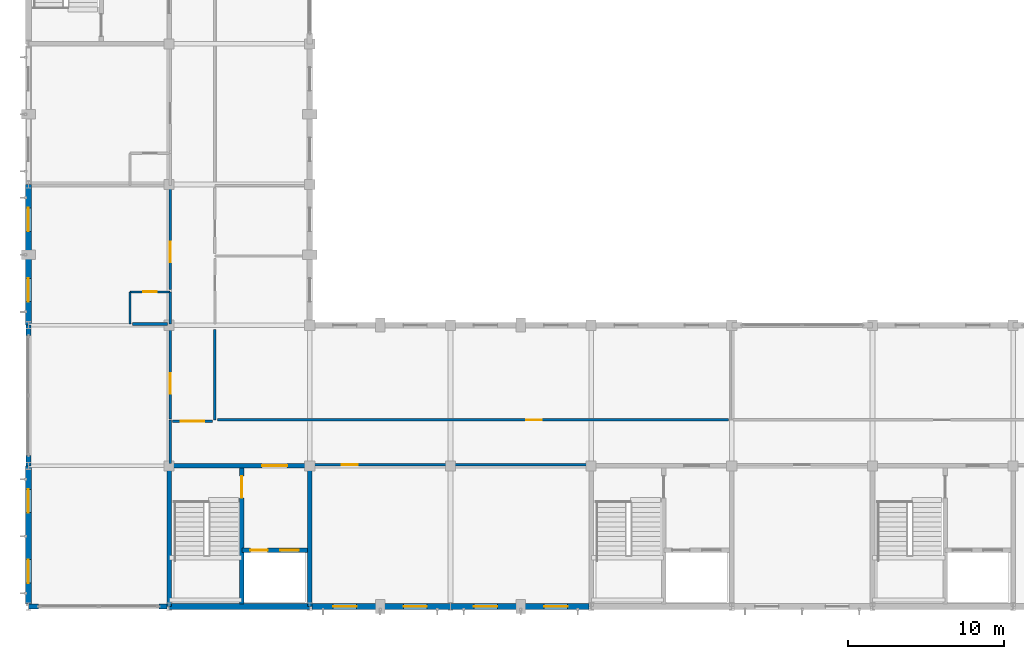
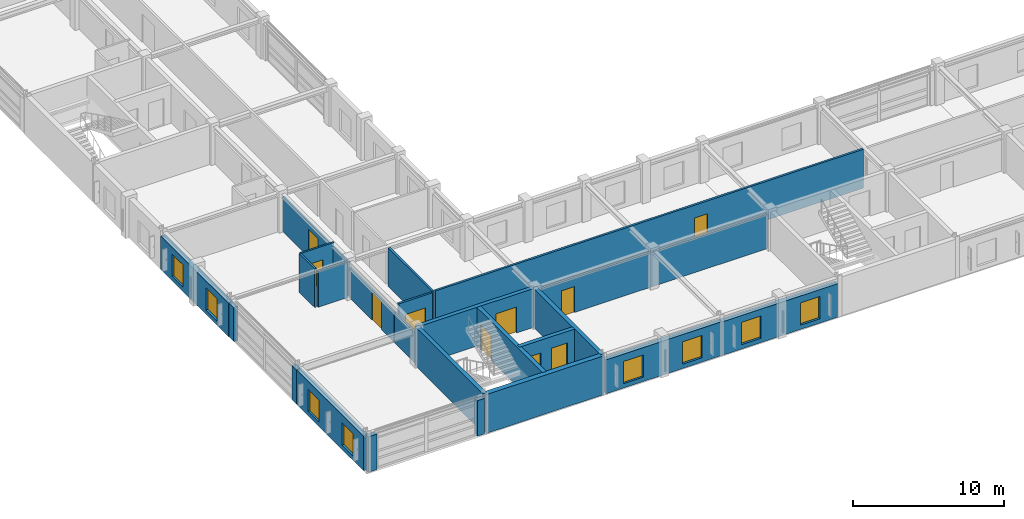
# One storey, part 70 of 91: 26 walls, 10 doors, 8 windows, 18 openings.
"""IFC4 building model written with IfcOpenShell, lengths in metres."""

from ifc_helpers import new_model, si_unit, direction, frame, frame_2d, origin, place, context, subcontext, project, spatial, rectangle, extrude, material, layer, layer_set, type_object, element, fill, save


model = new_model("IFC4")

# Units and contexts
model_context = context("Model", 3, precision=1e-05, world=origin(), true_north=direction((0.0, 1.0)))
body_context = subcontext(model_context, "Body", "Model", "MODEL_VIEW")
ifc_project = project(units=[si_unit("LENGTHUNIT", "METRE"), si_unit("AREAUNIT", "SQUARE_METRE"), si_unit("VOLUMEUNIT", "CUBIC_METRE"), si_unit("PLANEANGLEUNIT", "RADIAN"), si_unit("MASSUNIT", "GRAM", prefix="KILO")], contexts=[model_context])

# Site, building, storey
site_placement = place(None, origin())
site = spatial("IfcSite", under=ifc_project, at=site_placement, CompositionType="ELEMENT")
building_placement = place(site_placement, origin())
building = spatial("IfcBuilding", under=site, at=building_placement, Name="Palais des Congres Ocreval", CompositionType="ELEMENT")
storey_placement = place(building_placement, frame((0.0, 0.0, 8.159912109375)))
storey = spatial("IfcBuildingStorey", under=building, at=storey_placement, Name="L02", CompositionType="ELEMENT", Elevation=8.159912109375)

# Wall, opening, door
ifc_material_1 = material(Name="Moisture-resistant gypsum board")
ifc_layer_1 = layer(ifc_material_1, 0.139892578125)
ifc_layer_set_1 = layer_set([ifc_layer_1], Name="Bathroom Plumbing Chase Wall 140 Gypsum (Moisture-resistant gypsum board)")
wall_type_1 = type_object("IfcWallType", Name="Bathroom Plumbing Chase Wall 140 Gypsum", PredefinedType="PLUMBINGWALL", material=ifc_layer_set_1)
wall_1_placement = place(storey_placement, frame((6.5, 20.1298828125, 0.0), z_axis=(0.0, 0.0, 1.0), x_axis=(1.0, 0.0, 0.0)))
wall_1 = element("IfcWall", 1, at=wall_1_placement, inside=storey, type_object=wall_type_1, Name="Bathroom Plumbing Wall PW03 L02", PredefinedType="PLUMBINGWALL", context=body_context, shape_type="SweptSolid", body=[
    extrude(rectangle(XDim=2.56005859375, YDim=0.139892578125, at=frame_2d((1.280029296875, 0.0))), origin(), (0.0, 0.0, 1.0), 3.14013671875),
])
opening_1_placement = place(wall_1_placement, frame((0.85498046875, 0.0, 0.0)))
opening_1 = element("IfcOpeningElement", 2, at=opening_1_placement, cuts=wall_1, Name="Opening D08", PredefinedType="OPENING", context=body_context, shape_type="SweptSolid", body=[
    extrude(rectangle(XDim=0.85009765625, YDim=2.0400390625, at=frame_2d((0.425048828125, 1.02001953125))), frame((0.0, 0.079833984375, 0.0), z_axis=(0.0, -1.0, 0.0), x_axis=(1.0, 0.0, 0.0)), (0.0, 0.0, 1.0), 0.159912109375),
])
ifc_material_2 = material(Name="Solid French oak", Category="wood")
door_type_1 = type_object("IfcDoorType", Name="En-Suite Bathroom Door 850x2040", OperationType="NOTDEFINED", PredefinedType="DOOR", material=ifc_material_2)
door_1_placement = place(opening_1_placement, origin())
door_1 = element("IfcDoor", 3, at=door_1_placement, inside=storey, type_object=door_type_1, Name="En-Suite Bathroom Door D08 L02", OperationType="SINGLE_SWING_LEFT", OverallHeight=2.0400390625, OverallWidth=0.85009765625, PredefinedType="DOOR", context=body_context, shape_type="SweptSolid", body=[
    extrude(rectangle(XDim=0.85009765625, YDim=2.0400390625, at=frame_2d((0.425048828125, 1.02001953125))), frame((0.0, 0.02490234375, 0.0), z_axis=(0.0, -1.0, 0.0), x_axis=(1.0, 0.0, 0.0)), (0.0, 0.0, 1.0), 0.050048828125),
])
fill(opening_1, door_1)

# Walls
wall_2_placement = place(storey_placement, frame((6.5, 18.070068359375, 0.0), z_axis=(0.0, 0.0, 1.0), x_axis=(0.0, 1.0, 0.0)))
element("IfcWall", 4, at=wall_2_placement, inside=storey, type_object=wall_type_1, Name="Bathroom Plumbing Wall PW03 L02", PredefinedType="PLUMBINGWALL", context=body_context, shape_type="SweptSolid", body=[
    extrude(rectangle(XDim=2.059814453125, YDim=0.139892578125, at=frame_2d((1.02978515625, 0.0))), origin(), (0.0, 0.0, 1.0), 3.14013671875),
])
ifc_material_3 = material(Name="Concrete C40/50", Category="concrete")
ifc_layer_2 = layer(ifc_material_3, 0.300048828125)
ifc_layer_set_2 = layer_set([ifc_layer_2], Name="Core Shear Wall 300 Concrete C40/50")
wall_type_2 = type_object("IfcWallType", Name="Core Shear Wall 300 Concrete C40/50", PredefinedType="SHEAR", material=ifc_layer_set_2)
wall_3_placement = place(storey_placement, frame((18.0, 0.0, 0.0), z_axis=(0.0, 0.0, 1.0), x_axis=(0.0, 1.0, 0.0)))
element("IfcWall", 5, at=wall_3_placement, inside=storey, type_object=wall_type_2, Name="Core Shear Wall SC01 L02 E", PredefinedType="SHEAR", context=body_context, shape_type="SweptSolid", body=[
    extrude(rectangle(XDim=9.0, YDim=0.300048828125, at=frame_2d((4.5, 0.0))), origin(), (0.0, 0.0, 1.0), 3.14013671875),
])

# Wall, opening, door
wall_4_placement = place(storey_placement, frame((9.0, 9.0, 0.0), z_axis=(0.0, 0.0, 1.0), x_axis=(1.0, 0.0, 0.0)))
wall_4 = element("IfcWall", 6, at=wall_4_placement, inside=storey, type_object=wall_type_2, Name="Core Shear Wall SC01 L02 N", PredefinedType="SHEAR", context=body_context, shape_type="SweptSolid", body=[
    extrude(rectangle(XDim=9.0, YDim=0.300048828125, at=frame_2d((4.5, 0.0))), origin(), (0.0, 0.0, 1.0), 3.14013671875),
])
opening_2_placement = place(wall_4_placement, frame((5.949951171875, 0.0, 0.0)))
opening_2 = element("IfcOpeningElement", 7, at=opening_2_placement, cuts=wall_4, Name="Opening D02", PredefinedType="OPENING", context=body_context, shape_type="SweptSolid", body=[
    extrude(rectangle(XDim=1.60009765625, YDim=2.10009765625, at=frame_2d((0.800048828125, 1.050048828125))), frame((0.0, 0.159912109375, 0.0), z_axis=(0.0, -1.0, 0.0), x_axis=(1.0, 0.0, 0.0)), (0.0, 0.0, 1.0), 0.320068359375),
])
ifc_material_4 = material(Name="Painted fire-rated steel", Category="steel")
door_type_2 = type_object("IfcDoorType", Name="Firefighting Lobby Rated Door 1600x2100", OperationType="NOTDEFINED", PredefinedType="DOOR", material=ifc_material_4)
door_2_placement = place(opening_2_placement, origin())
door_2 = element("IfcDoor", 8, at=door_2_placement, inside=storey, type_object=door_type_2, Name="Firefighting Lobby Entrance Door SC01 L02", OperationType="DOUBLE_DOOR_SINGLE_SWING", OverallHeight=2.10009765625, OverallWidth=1.60009765625, PredefinedType="DOOR", context=body_context, shape_type="SweptSolid", body=[
    extrude(rectangle(XDim=1.60009765625, YDim=2.10009765625, at=frame_2d((0.800048828125, 1.050048828125))), frame((0.0, 0.02490234375, 0.0), z_axis=(0.0, -1.0, 0.0), x_axis=(1.0, 0.0, 0.0)), (0.0, 0.0, 1.0), 0.050048828125),
])
fill(opening_2, door_2)

# Wall
wall_5_placement = place(storey_placement, frame((9.0, 0.0, 0.0), z_axis=(0.0, 0.0, 1.0), x_axis=(0.0, 1.0, 0.0)))
element("IfcWall", 9, at=wall_5_placement, inside=storey, type_object=wall_type_2, Name="Core Shear Wall SC01 L02 W", PredefinedType="SHEAR", context=body_context, shape_type="SweptSolid", body=[
    extrude(rectangle(XDim=9.0, YDim=0.300048828125, at=frame_2d((4.5, 0.0))), origin(), (0.0, 0.0, 1.0), 3.14013671875),
])

# Wall, opening, door
wall_6_placement = place(storey_placement, frame((13.64990234375, 0.14990234375, 0.0), z_axis=(0.0, 0.0, 1.0), x_axis=(0.0, 1.0, 0.0)))
wall_6 = element("IfcWall", 10, at=wall_6_placement, inside=storey, type_object=wall_type_2, Name="Core Spine Shear Wall SC01 L02", PredefinedType="SHEAR", context=body_context, shape_type="SweptSolid", body=[
    extrude(rectangle(XDim=8.7001953125, YDim=0.300048828125, at=frame_2d((4.35009765625, 0.0))), origin(), (0.0, 0.0, 1.0), 3.14013671875),
])
opening_3_placement = place(wall_6_placement, frame((6.800048828125, 0.0, 0.0)))
opening_3 = element("IfcOpeningElement", 11, at=opening_3_placement, cuts=wall_6, Name="Opening D03", PredefinedType="OPENING", context=body_context, shape_type="SweptSolid", body=[
    extrude(rectangle(XDim=1.39990234375, YDim=2.02001953125, at=frame_2d((0.699951171875, 1.010009765625))), frame((0.0, 0.159912109375, 0.0), z_axis=(0.0, -1.0, 0.0), x_axis=(1.0, 0.0, 0.0)), (0.0, 0.0, 1.0), 0.320068359375),
])
door_type_3 = type_object("IfcDoorType", Name="Core Lobby Rated Door 1400x2020", OperationType="NOTDEFINED", PredefinedType="DOOR", material=ifc_material_4)
door_3_placement = place(opening_3_placement, origin())
door_3 = element("IfcDoor", 12, at=door_3_placement, inside=storey, type_object=door_type_3, Name="Protected Exit Stair Door ST01 L02", OperationType="SINGLE_SWING_LEFT", OverallHeight=2.02001953125, OverallWidth=1.39990234375, PredefinedType="DOOR", context=body_context, shape_type="SweptSolid", body=[
    extrude(rectangle(XDim=1.39990234375, YDim=2.02001953125, at=frame_2d((0.699951171875, 1.010009765625))), frame((0.0, 0.02490234375, 0.0), z_axis=(0.0, -1.0, 0.0), x_axis=(1.0, 0.0, 0.0)), (0.0, 0.0, 1.0), 0.050048828125),
])
fill(opening_3, door_3)

# Wall, openings, doors
wall_7_placement = place(storey_placement, frame((13.64990234375, 3.60009765625, 0.0), z_axis=(0.0, 0.0, 1.0), x_axis=(1.0, 0.0, 0.0)))
wall_7 = element("IfcWall", 13, at=wall_7_placement, inside=storey, type_object=wall_type_2, Name="Lift Shaft Front Wall SC01 L02", PredefinedType="SHEAR", context=body_context, shape_type="SweptSolid", body=[
    extrude(rectangle(XDim=4.2001953125, YDim=0.300048828125, at=frame_2d((2.10009765625, 0.0))), origin(), (0.0, 0.0, 1.0), 3.14013671875),
])
opening_4_placement = place(wall_7_placement, frame((0.550048828125, 0.0, 0.0)))
opening_4 = element("IfcOpeningElement", 14, at=opening_4_placement, cuts=wall_7, Name="Opening LD01", PredefinedType="OPENING", context=body_context, shape_type="SweptSolid", body=[
    extrude(rectangle(XDim=1.10009765625, YDim=2.10009765625, at=frame_2d((0.550048828125, 1.050048828125))), frame((0.0, 0.159912109375, 0.0), z_axis=(0.0, -1.0, 0.0), x_axis=(1.0, 0.0, 0.0)), (0.0, 0.0, 1.0), 0.320068359375),
])
opening_5_placement = place(wall_7_placement, frame((2.449951171875, 0.0, 0.0)))
opening_5 = element("IfcOpeningElement", 15, at=opening_5_placement, cuts=wall_7, Name="Opening LD02", PredefinedType="OPENING", context=body_context, shape_type="SweptSolid", body=[
    extrude(rectangle(XDim=1.199951171875, YDim=2.199951171875, at=frame_2d((0.60009765625, 1.10009765625))), frame((0.0, 0.159912109375, 0.0), z_axis=(0.0, -1.0, 0.0), x_axis=(1.0, 0.0, 0.0)), (0.0, 0.0, 1.0), 0.320068359375),
])
ifc_material_5 = material(Name="Stainless steel", Category="steel")
door_type_4 = type_object("IfcDoorType", Name="Firefighting Lift Sliding Landing Door 1100x2100", OperationType="NOTDEFINED", PredefinedType="DOOR", material=ifc_material_5)
door_4_placement = place(opening_4_placement, origin())
door_4 = element("IfcDoor", 16, at=door_4_placement, inside=storey, type_object=door_type_4, Name="Lift Landing Sliding Door FF1 L02", OperationType="DOUBLE_DOOR_SLIDING", OverallHeight=2.10009765625, OverallWidth=1.10009765625, PredefinedType="DOOR", context=body_context, shape_type="SweptSolid", body=[
    extrude(rectangle(XDim=1.10009765625, YDim=2.10009765625, at=frame_2d((0.550048828125, 1.050048828125))), frame((0.0, 0.02490234375, 0.0), z_axis=(0.0, -1.0, 0.0), x_axis=(1.0, 0.0, 0.0)), (0.0, 0.0, 1.0), 0.050048828125),
])
fill(opening_4, door_4)
ifc_material_6 = material(Name="Anodized bronze steel", Category="steel")
door_type_5 = type_object("IfcDoorType", Name="Passenger and Service Lift Sliding Door 1200x2200", OperationType="NOTDEFINED", PredefinedType="DOOR", material=ifc_material_6)
door_5_placement = place(opening_5_placement, origin())
door_5 = element("IfcDoor", 17, at=door_5_placement, inside=storey, type_object=door_type_5, Name="Lift Landing Sliding Door PL1 L02", OperationType="DOUBLE_DOOR_SLIDING", OverallHeight=2.199951171875, OverallWidth=1.199951171875, PredefinedType="DOOR", context=body_context, shape_type="SweptSolid", body=[
    extrude(rectangle(XDim=1.199951171875, YDim=2.199951171875, at=frame_2d((0.60009765625, 1.10009765625))), frame((0.0, 0.02490234375, 0.0), z_axis=(0.0, -1.0, 0.0), x_axis=(1.0, 0.0, 0.0)), (0.0, 0.0, 1.0), 0.050048828125),
])
fill(opening_5, door_5)

# Walls
ifc_material_7 = material(Name="Gypsum acoustic partition")
ifc_layer_3 = layer(ifc_material_7, 0.159912109375)
ifc_layer_set_3 = layer_set([ifc_layer_3], Name="Corridor Fire Partition 160 Gypsum (Gypsum acoustic partition)")
wall_type_3 = type_object("IfcWallType", Name="Corridor Fire Partition 160 Gypsum", PredefinedType="PARTITIONING", material=ifc_layer_set_3)
wall_8_placement = place(storey_placement, frame((9.06005859375, 18.070068359375, 0.0), z_axis=(0.0, 0.0, 1.0), x_axis=(0.0, 1.0, 0.0)))
element("IfcWall", 18, at=wall_8_placement, inside=storey, type_object=wall_type_3, Name="Corridor Partition IW03 L02", PredefinedType="PARTITIONING", context=body_context, shape_type="SweptSolid", body=[
    extrude(rectangle(XDim=2.059814453125, YDim=0.159912109375, at=frame_2d((1.02978515625, 0.0))), origin(), (0.0, 0.0, 1.0), 2.81005859375),
])
wall_9_placement = place(storey_placement, frame((9.06494140625, 9.155029296875, 0.0), z_axis=(0.0, 0.0, 1.0), x_axis=(0.0, 1.0, 0.0)))
element("IfcWall", 19, at=wall_9_placement, inside=storey, type_object=wall_type_3, Name="Interior Partition IW03 L02", PredefinedType="PARTITIONING", context=body_context, shape_type="SweptSolid", body=[
    extrude(rectangle(XDim=2.77490234375, YDim=0.159912109375, at=frame_2d((1.387451171875, 0.0))), origin(), (0.0, 0.0, 1.0), 2.41015625),
])
wall_10_placement = place(storey_placement, frame((11.93505859375, 11.93994140625, 0.0), z_axis=(0.0, 0.0, 1.0), x_axis=(0.0, 1.0, 0.0)))
element("IfcWall", 20, at=wall_10_placement, inside=storey, type_object=wall_type_3, Name="Interior Partition IW03 L02", PredefinedType="PARTITIONING", context=body_context, shape_type="SweptSolid", body=[
    extrude(rectangle(XDim=5.7900390625, YDim=0.159912109375, at=frame_2d((2.89501953125, 0.0))), origin(), (0.0, 0.0, 1.0), 3.14013671875),
])

# Wall, opening, door
wall_11_placement = place(storey_placement, frame((9.219970703125, 11.85009765625, 0.0), z_axis=(0.0, 0.0, 1.0), x_axis=(1.0, 0.0, 0.0)))
wall_11 = element("IfcWall", 21, at=wall_11_placement, inside=storey, type_object=wall_type_3, Name="Interior Partition IW03 L02", PredefinedType="PARTITIONING", context=body_context, shape_type="SweptSolid", body=[
    extrude(rectangle(XDim=2.56005859375, YDim=0.159912109375, at=frame_2d((1.280029296875, 0.0))), origin(), (0.0, 0.0, 1.0), 3.14013671875),
])
opening_6_placement = place(wall_11_placement, frame((0.530029296875, 0.0, 0.0)))
opening_6 = element("IfcOpeningElement", 22, at=opening_6_placement, cuts=wall_11, Name="Opening D04", PredefinedType="OPENING", context=body_context, shape_type="SweptSolid", body=[
    extrude(rectangle(XDim=1.5, YDim=2.10009765625, at=frame_2d((0.75, 1.050048828125))), frame((0.0, 0.08984375, 0.0), z_axis=(0.0, -1.0, 0.0), x_axis=(1.0, 0.0, 0.0)), (0.0, 0.0, 1.0), 0.179931640625),
])
ifc_material_8 = material(Name="Solid French oak fire door", Category="wood")
door_type_6 = type_object("IfcDoorType", Name="Corridor Compartment Double Door 1500x2100", OperationType="NOTDEFINED", PredefinedType="DOOR", material=ifc_material_8)
door_6_placement = place(opening_6_placement, origin())
door_6 = element("IfcDoor", 23, at=door_6_placement, inside=storey, type_object=door_type_6, Name="Interior Door D04 L02", OperationType="DOUBLE_DOOR_SINGLE_SWING", OverallHeight=2.10009765625, OverallWidth=1.5, PredefinedType="DOOR", context=body_context, shape_type="SweptSolid", body=[
    extrude(rectangle(XDim=1.5, YDim=2.10009765625, at=frame_2d((0.75, 1.050048828125))), frame((0.0, 0.02490234375, 0.0), z_axis=(0.0, -1.0, 0.0), x_axis=(1.0, 0.0, 0.0)), (0.0, 0.0, 1.0), 0.050048828125),
])
fill(opening_6, door_6)

wall_12_placement = place(storey_placement, frame((18.155029296875, 9.06494140625, 0.0), z_axis=(0.0, 0.0, 1.0), x_axis=(1.0, 0.0, 0.0)))
wall_12 = element("IfcWall", 24, at=wall_12_placement, inside=storey, type_object=wall_type_3, Name="Interior Partition IW03 L02", PredefinedType="PARTITIONING", context=body_context, shape_type="SweptSolid", body=[
    extrude(rectangle(XDim=8.824951171875, YDim=0.159912109375, at=frame_2d((4.41259765625, 0.0))), origin(), (0.0, 0.0, 1.0), 2.81005859375),
])
opening_7_placement = place(wall_12_placement, frame((1.89990234375, 0.0, 0.0)))
opening_7 = element("IfcOpeningElement", 25, at=opening_7_placement, cuts=wall_12, Name="Opening D10", PredefinedType="OPENING", context=body_context, shape_type="SweptSolid", body=[
    extrude(rectangle(XDim=1.0, YDim=2.10009765625, at=frame_2d((0.5, 1.050048828125))), frame((0.0, 0.08984375, 0.0), z_axis=(0.0, -1.0, 0.0), x_axis=(1.0, 0.0, 0.0)), (0.0, 0.0, 1.0), 0.179931640625),
])
ifc_material_9 = material(Name="Painted steel", Category="steel")
door_type_7 = type_object("IfcDoorType", Name="Service and Pantry Door 1000x2100", OperationType="NOTDEFINED", PredefinedType="DOOR", material=ifc_material_9)
door_7_placement = place(opening_7_placement, origin())
door_7 = element("IfcDoor", 26, at=door_7_placement, inside=storey, type_object=door_type_7, Name="Interior Door D10 L02", OperationType="SINGLE_SWING_RIGHT", OverallHeight=2.10009765625, OverallWidth=1.0, PredefinedType="DOOR", context=body_context, shape_type="SweptSolid", body=[
    extrude(rectangle(XDim=1.0, YDim=2.10009765625, at=frame_2d((0.5, 1.050048828125))), frame((0.0, 0.02490234375, 0.0), z_axis=(0.0, -1.0, 0.0), x_axis=(1.0, 0.0, 0.0)), (0.0, 0.0, 1.0), 0.050048828125),
])
fill(opening_7, door_7)

wall_13_placement = place(storey_placement, frame((12.090087890625, 11.93505859375, 0.0), z_axis=(0.0, 0.0, 1.0), x_axis=(1.0, 0.0, 0.0)))
wall_13 = element("IfcWall", 27, at=wall_13_placement, inside=storey, type_object=wall_type_3, Name="Interior Partition IW03 L02", PredefinedType="PARTITIONING", context=body_context, shape_type="SweptSolid", body=[
    extrude(rectangle(XDim=32.68994140625, YDim=0.159912109375, at=frame_2d((16.344970703125, 0.0))), origin(), (0.0, 0.0, 1.0), 3.14013671875),
])
opening_8_placement = place(wall_13_placement, frame((19.767822265625, 0.0, 0.0)))
opening_8 = element("IfcOpeningElement", 28, at=opening_8_placement, cuts=wall_13, Name="Opening D10", PredefinedType="OPENING", context=body_context, shape_type="SweptSolid", body=[
    extrude(rectangle(XDim=1.0, YDim=2.10009765625, at=frame_2d((0.5, 1.050048828125))), frame((0.0, 0.08984375, 0.0), z_axis=(0.0, -1.0, 0.0), x_axis=(1.0, 0.0, 0.0)), (0.0, 0.0, 1.0), 0.179931640625),
])
door_8_placement = place(opening_8_placement, origin())
door_8 = element("IfcDoor", 29, at=door_8_placement, inside=storey, type_object=door_type_7, Name="Interior Door D10 L02", OperationType="SINGLE_SWING_LEFT", OverallHeight=2.10009765625, OverallWidth=1.0, PredefinedType="DOOR", context=body_context, shape_type="SweptSolid", body=[
    extrude(rectangle(XDim=1.0, YDim=2.10009765625, at=frame_2d((0.5, 1.050048828125))), frame((0.0, 0.02490234375, 0.0), z_axis=(0.0, -1.0, 0.0), x_axis=(1.0, 0.0, 0.0)), (0.0, 0.0, 1.0), 0.050048828125),
])
fill(opening_8, door_8)

wall_14_placement = place(storey_placement, frame((9.06494140625, 12.0048828125, 0.0), z_axis=(0.0, 0.0, 1.0), x_axis=(0.0, 1.0, 0.0)))
wall_14 = element("IfcWall", 30, at=wall_14_placement, inside=storey, type_object=wall_type_3, Name="Interior Partition IW03 L02", PredefinedType="PARTITIONING", context=body_context, shape_type="SweptSolid", body=[
    extrude(rectangle(XDim=5.97021484375, YDim=0.159912109375, at=frame_2d((2.985107421875, 0.0))), origin(), (0.0, 0.0, 1.0), 2.41015625),
])
opening_9_placement = place(wall_14_placement, frame((1.61865234375, 0.0, 0.0)))
opening_9 = element("IfcOpeningElement", 31, at=opening_9_placement, cuts=wall_14, Name="Opening D07", PredefinedType="OPENING", context=body_context, shape_type="SweptSolid", body=[
    extrude(rectangle(XDim=1.300048828125, YDim=2.25, at=frame_2d((0.64990234375, 1.125))), frame((0.0, 0.08984375, 0.0), z_axis=(0.0, -1.0, 0.0), x_axis=(1.0, 0.0, 0.0)), (0.0, 0.0, 1.0), 0.179931640625),
])
door_type_8 = type_object("IfcDoorType", Name="Luxury Suite Double Door 1300x2250", OperationType="NOTDEFINED", PredefinedType="DOOR", material=ifc_material_2)
door_9_placement = place(opening_9_placement, origin())
door_9 = element("IfcDoor", 32, at=door_9_placement, inside=storey, type_object=door_type_8, Name="Interior Door D07 L02", OperationType="DOUBLE_DOOR_SINGLE_SWING", OverallHeight=2.25, OverallWidth=1.300048828125, PredefinedType="DOOR", context=body_context, shape_type="SweptSolid", body=[
    extrude(rectangle(XDim=1.300048828125, YDim=2.25, at=frame_2d((0.64990234375, 1.125))), frame((0.0, 0.02490234375, 0.0), z_axis=(0.0, -1.0, 0.0), x_axis=(1.0, 0.0, 0.0)), (0.0, 0.0, 1.0), 0.050048828125),
])
fill(opening_9, door_9)

wall_15_placement = place(storey_placement, frame((9.06494140625, 20.284912109375, 0.0), z_axis=(0.0, 0.0, 1.0), x_axis=(0.0, 1.0, 0.0)))
wall_15 = element("IfcWall", 33, at=wall_15_placement, inside=storey, type_object=wall_type_3, Name="Interior Partition IW03 L02", PredefinedType="PARTITIONING", context=body_context, shape_type="SweptSolid", body=[
    extrude(rectangle(XDim=6.4951171875, YDim=0.159912109375, at=frame_2d((3.24755859375, 0.0))), origin(), (0.0, 0.0, 1.0), 2.81005859375),
])
opening_10_placement = place(wall_15_placement, frame((1.75, 0.0, 0.0)))
opening_10 = element("IfcOpeningElement", 34, at=opening_10_placement, cuts=wall_15, Name="Opening D07", PredefinedType="OPENING", context=body_context, shape_type="SweptSolid", body=[
    extrude(rectangle(XDim=1.300048828125, YDim=2.25, at=frame_2d((0.64990234375, 1.125))), frame((0.0, 0.08984375, 0.0), z_axis=(0.0, -1.0, 0.0), x_axis=(1.0, 0.0, 0.0)), (0.0, 0.0, 1.0), 0.179931640625),
])
door_10_placement = place(opening_10_placement, origin())
door_10 = element("IfcDoor", 35, at=door_10_placement, inside=storey, type_object=door_type_8, Name="Interior Door D07 L02", OperationType="DOUBLE_DOOR_SINGLE_SWING", OverallHeight=2.25, OverallWidth=1.300048828125, PredefinedType="DOOR", context=body_context, shape_type="SweptSolid", body=[
    extrude(rectangle(XDim=1.300048828125, YDim=2.25, at=frame_2d((0.64990234375, 1.125))), frame((0.0, 0.02490234375, 0.0), z_axis=(0.0, -1.0, 0.0), x_axis=(1.0, 0.0, 0.0)), (0.0, 0.0, 1.0), 0.050048828125),
])
fill(opening_10, door_10)

# Walls
wall_16_placement = place(storey_placement, frame((26.97998046875, 9.06494140625, 0.0), z_axis=(0.0, 0.0, 1.0), x_axis=(1.0, 0.0, 0.0)))
element("IfcWall", 36, at=wall_16_placement, inside=storey, type_object=wall_type_3, Name="Interior Partition IW03 L02", PredefinedType="PARTITIONING", context=body_context, shape_type="SweptSolid", body=[
    extrude(rectangle(XDim=8.864990234375, YDim=0.159912109375, at=frame_2d((4.4326171875, 0.0))), origin(), (0.0, 0.0, 1.0), 2.77001953125),
])
ifc_layer_4 = layer(ifc_material_7, 0.179931640625)
ifc_layer_set_4 = layer_set([ifc_layer_4], Name="Hotel Inter-Room Acoustic Partition 180 Gypsum (Gypsum acoustic partition)")
wall_type_4 = type_object("IfcWallType", Name="Hotel Inter-Room Acoustic Partition 180 Gypsum", PredefinedType="PARTITIONING", material=ifc_layer_set_4)
wall_17_placement = place(storey_placement, frame((6.655029296875, 18.070068359375, 0.0), z_axis=(0.0, 0.0, 1.0), x_axis=(1.0, 0.0, 0.0)))
element("IfcWall", 37, at=wall_17_placement, inside=storey, type_object=wall_type_4, Name="Bathroom Party Closure Wall IW02 L02", PredefinedType="PARTITIONING", context=body_context, shape_type="SweptSolid", body=[
    extrude(rectangle(XDim=2.25, YDim=0.179931640625, at=frame_2d((1.125, 0.0))), origin(), (0.0, 0.0, 1.0), 2.8701171875),
])

# Wall, openings, windows
ifc_layer_5 = layer(ifc_material_3, 0.3798828125)
ifc_layer_set_5 = layer_set([ifc_layer_5], Name="Lutetian Limestone Street Wall 380 Concrete C40/50")
wall_type_5 = type_object("IfcWallType", Name="Lutetian Limestone Street Wall 380 Concrete C40/50", PredefinedType="SOLIDWALL", material=ifc_layer_set_5)
wall_18_placement = place(storey_placement, frame((35.8701171875, 0.0, 0.0), z_axis=(0.0, 0.0, 1.0), x_axis=(-1.0, 0.0, 0.0)))
wall_18 = element("IfcWall", 38, at=wall_18_placement, inside=storey, type_object=wall_type_5, Name="Exterior Wall EW03 L02", PredefinedType="SOLIDWALL", context=body_context, shape_type="SweptSolid", body=[
    extrude(rectangle(XDim=8.8701171875, YDim=0.3798828125, at=frame_2d((4.43505859375, 0.0))), origin(), (0.0, 0.0, 1.0), 2.7001953125),
])
opening_11_placement = place(wall_18_placement, frame((1.3701171875, 0.0, 0.35009765625)))
opening_11 = element("IfcOpeningElement", 39, at=opening_11_placement, cuts=wall_18, Name="Opening WN06", PredefinedType="OPENING", context=body_context, shape_type="SweptSolid", body=[
    extrude(rectangle(XDim=1.5, YDim=1.800048828125, at=frame_2d((0.75, 0.89990234375))), frame((0.0, 0.199951171875, 0.0), z_axis=(0.0, -1.0, 0.0), x_axis=(1.0, 0.0, 0.0)), (0.0, 0.0, 1.0), 0.39990234375),
])
opening_12_placement = place(wall_18_placement, frame((5.8701171875, 0.0, 0.35009765625)))
opening_12 = element("IfcOpeningElement", 40, at=opening_12_placement, cuts=wall_18, Name="Opening WN06", PredefinedType="OPENING", context=body_context, shape_type="SweptSolid", body=[
    extrude(rectangle(XDim=1.5, YDim=1.800048828125, at=frame_2d((0.75, 0.89990234375))), frame((0.0, 0.199951171875, 0.0), z_axis=(0.0, -1.0, 0.0), x_axis=(1.0, 0.0, 0.0)), (0.0, 0.0, 1.0), 0.39990234375),
])
ifc_material_10 = material(Name="Anodized bronze aluminium and low-E glass", Category="glass")
window_type = type_object("IfcWindowType", Name="Upper Setback Window 1500x1800", PartitioningType="SINGLE_PANEL", PredefinedType="WINDOW", material=ifc_material_10)
window_1_placement = place(opening_11_placement, origin())
window_1 = element("IfcWindow", 41, at=window_1_placement, inside=storey, type_object=window_type, Name="Hotel Facade Window WN06", OverallHeight=1.800048828125, OverallWidth=1.5, PartitioningType="SINGLE_PANEL", PredefinedType="WINDOW", context=body_context, shape_type="SweptSolid", body=[
    extrude(rectangle(XDim=1.5, YDim=1.800048828125, at=frame_2d((0.75, 0.89990234375))), frame((0.0, 0.030029296875, 0.0), z_axis=(0.0, -1.0, 0.0), x_axis=(1.0, 0.0, 0.0)), (0.0, 0.0, 1.0), 0.06005859375),
])
fill(opening_11, window_1)
window_2_placement = place(opening_12_placement, origin())
window_2 = element("IfcWindow", 42, at=window_2_placement, inside=storey, type_object=window_type, Name="Hotel Facade Window WN06", OverallHeight=1.800048828125, OverallWidth=1.5, PartitioningType="SINGLE_PANEL", PredefinedType="WINDOW", context=body_context, shape_type="SweptSolid", body=[
    extrude(rectangle(XDim=1.5, YDim=1.800048828125, at=frame_2d((0.75, 0.89990234375))), frame((0.0, 0.030029296875, 0.0), z_axis=(0.0, -1.0, 0.0), x_axis=(1.0, 0.0, 0.0)), (0.0, 0.0, 1.0), 0.06005859375),
])
fill(opening_12, window_2)

wall_19_placement = place(storey_placement, frame((27.0, 0.0, 0.0), z_axis=(0.0, 0.0, 1.0), x_axis=(-1.0, 0.0, 0.0)))
wall_19 = element("IfcWall", 43, at=wall_19_placement, inside=storey, type_object=wall_type_5, Name="Exterior Wall EW03 L02", PredefinedType="SOLIDWALL", context=body_context, shape_type="SweptSolid", body=[
    extrude(rectangle(XDim=8.8701171875, YDim=0.3798828125, at=frame_2d((4.43505859375, 0.0))), origin(), (0.0, 0.0, 1.0), 2.739990234375),
])
opening_13_placement = place(wall_19_placement, frame((1.5, 0.0, 0.35009765625)))
opening_13 = element("IfcOpeningElement", 44, at=opening_13_placement, cuts=wall_19, Name="Opening WN06", PredefinedType="OPENING", context=body_context, shape_type="SweptSolid", body=[
    extrude(rectangle(XDim=1.5, YDim=1.800048828125, at=frame_2d((0.75, 0.89990234375))), frame((0.0, 0.199951171875, 0.0), z_axis=(0.0, -1.0, 0.0), x_axis=(1.0, 0.0, 0.0)), (0.0, 0.0, 1.0), 0.39990234375),
])
opening_14_placement = place(wall_19_placement, frame((6.0, 0.0, 0.35009765625)))
opening_14 = element("IfcOpeningElement", 45, at=opening_14_placement, cuts=wall_19, Name="Opening WN06", PredefinedType="OPENING", context=body_context, shape_type="SweptSolid", body=[
    extrude(rectangle(XDim=1.5, YDim=1.800048828125, at=frame_2d((0.75, 0.89990234375))), frame((0.0, 0.199951171875, 0.0), z_axis=(0.0, -1.0, 0.0), x_axis=(1.0, 0.0, 0.0)), (0.0, 0.0, 1.0), 0.39990234375),
])
window_3_placement = place(opening_13_placement, origin())
window_3 = element("IfcWindow", 46, at=window_3_placement, inside=storey, type_object=window_type, Name="Hotel Facade Window WN06", OverallHeight=1.800048828125, OverallWidth=1.5, PartitioningType="SINGLE_PANEL", PredefinedType="WINDOW", context=body_context, shape_type="SweptSolid", body=[
    extrude(rectangle(XDim=1.5, YDim=1.800048828125, at=frame_2d((0.75, 0.89990234375))), frame((0.0, 0.030029296875, 0.0), z_axis=(0.0, -1.0, 0.0), x_axis=(1.0, 0.0, 0.0)), (0.0, 0.0, 1.0), 0.06005859375),
])
fill(opening_13, window_3)
window_4_placement = place(opening_14_placement, origin())
window_4 = element("IfcWindow", 47, at=window_4_placement, inside=storey, type_object=window_type, Name="Hotel Facade Window WN06", OverallHeight=1.800048828125, OverallWidth=1.5, PartitioningType="SINGLE_PANEL", PredefinedType="WINDOW", context=body_context, shape_type="SweptSolid", body=[
    extrude(rectangle(XDim=1.5, YDim=1.800048828125, at=frame_2d((0.75, 0.89990234375))), frame((0.0, 0.030029296875, 0.0), z_axis=(0.0, -1.0, 0.0), x_axis=(1.0, 0.0, 0.0)), (0.0, 0.0, 1.0), 0.06005859375),
])
fill(opening_14, window_4)

# Wall
wall_20_placement = place(storey_placement, frame((18.0, 0.0, 0.0), z_axis=(0.0, 0.0, 1.0), x_axis=(-1.0, 0.0, 0.0)))
element("IfcWall", 48, at=wall_20_placement, inside=storey, type_object=wall_type_5, Name="Core Perimeter Shear Wall EW03 SC01 L02", PredefinedType="SOLIDWALL", context=body_context, shape_type="SweptSolid", body=[
    extrude(rectangle(XDim=9.0, YDim=0.3798828125, at=frame_2d((4.5, 0.0))), origin(), (0.0, 0.0, 1.0), 3.14013671875),
])

# Wall, openings, windows
wall_21_placement = place(storey_placement, frame((0.0, 0.155029296875, 0.0), z_axis=(0.0, 0.0, 1.0), x_axis=(0.0, 1.0, 0.0)))
wall_21 = element("IfcWall", 49, at=wall_21_placement, inside=storey, type_object=wall_type_5, Name="Exterior Wall EW03 L02", PredefinedType="SOLIDWALL", context=body_context, shape_type="SweptSolid", body=[
    extrude(rectangle(XDim=8.844970703125, YDim=0.3798828125, at=frame_2d((4.42236328125, 0.0))), origin(), (0.0, 0.0, 1.0), 2.800048828125),
])
opening_15_placement = place(wall_21_placement, frame((1.344970703125, 0.0, 0.35009765625)))
opening_15 = element("IfcOpeningElement", 50, at=opening_15_placement, cuts=wall_21, Name="Opening WN06", PredefinedType="OPENING", context=body_context, shape_type="SweptSolid", body=[
    extrude(rectangle(XDim=1.5, YDim=1.800048828125, at=frame_2d((0.75, 0.89990234375))), frame((0.0, 0.199951171875, 0.0), z_axis=(0.0, -1.0, 0.0), x_axis=(1.0, 0.0, 0.0)), (0.0, 0.0, 1.0), 0.39990234375),
])
opening_16_placement = place(wall_21_placement, frame((5.844970703125, 0.0, 0.35009765625)))
opening_16 = element("IfcOpeningElement", 51, at=opening_16_placement, cuts=wall_21, Name="Opening WN06", PredefinedType="OPENING", context=body_context, shape_type="SweptSolid", body=[
    extrude(rectangle(XDim=1.5, YDim=1.800048828125, at=frame_2d((0.75, 0.89990234375))), frame((0.0, 0.199951171875, 0.0), z_axis=(0.0, -1.0, 0.0), x_axis=(1.0, 0.0, 0.0)), (0.0, 0.0, 1.0), 0.39990234375),
])
window_5_placement = place(opening_15_placement, origin())
window_5 = element("IfcWindow", 52, at=window_5_placement, inside=storey, type_object=window_type, Name="Hotel Facade Window WN06", OverallHeight=1.800048828125, OverallWidth=1.5, PartitioningType="SINGLE_PANEL", PredefinedType="WINDOW", context=body_context, shape_type="SweptSolid", body=[
    extrude(rectangle(XDim=1.5, YDim=1.800048828125, at=frame_2d((0.75, 0.89990234375))), frame((0.0, 0.030029296875, 0.0), z_axis=(0.0, -1.0, 0.0), x_axis=(1.0, 0.0, 0.0)), (0.0, 0.0, 1.0), 0.06005859375),
])
fill(opening_15, window_5)
window_6_placement = place(opening_16_placement, origin())
window_6 = element("IfcWindow", 53, at=window_6_placement, inside=storey, type_object=window_type, Name="Hotel Facade Window WN06", OverallHeight=1.800048828125, OverallWidth=1.5, PartitioningType="SINGLE_PANEL", PredefinedType="WINDOW", context=body_context, shape_type="SweptSolid", body=[
    extrude(rectangle(XDim=1.5, YDim=1.800048828125, at=frame_2d((0.75, 0.89990234375))), frame((0.0, 0.030029296875, 0.0), z_axis=(0.0, -1.0, 0.0), x_axis=(1.0, 0.0, 0.0)), (0.0, 0.0, 1.0), 0.06005859375),
])
fill(opening_16, window_6)

wall_22_placement = place(storey_placement, frame((0.0, 18.0, 0.0), z_axis=(0.0, 0.0, 1.0), x_axis=(0.0, 1.0, 0.0)))
wall_22 = element("IfcWall", 54, at=wall_22_placement, inside=storey, type_object=wall_type_5, Name="Exterior Wall EW03 L02", PredefinedType="SOLIDWALL", context=body_context, shape_type="SweptSolid", body=[
    extrude(rectangle(XDim=9.0, YDim=0.3798828125, at=frame_2d((4.5, 0.0))), origin(), (0.0, 0.0, 1.0), 2.7001953125),
])
opening_17_placement = place(wall_22_placement, frame((1.5, 0.0, 0.35009765625)))
opening_17 = element("IfcOpeningElement", 55, at=opening_17_placement, cuts=wall_22, Name="Opening WN06", PredefinedType="OPENING", context=body_context, shape_type="SweptSolid", body=[
    extrude(rectangle(XDim=1.5, YDim=1.800048828125, at=frame_2d((0.75, 0.89990234375))), frame((0.0, 0.199951171875, 0.0), z_axis=(0.0, -1.0, 0.0), x_axis=(1.0, 0.0, 0.0)), (0.0, 0.0, 1.0), 0.39990234375),
])
opening_18_placement = place(wall_22_placement, frame((6.0, 0.0, 0.35009765625)))
opening_18 = element("IfcOpeningElement", 56, at=opening_18_placement, cuts=wall_22, Name="Opening WN06", PredefinedType="OPENING", context=body_context, shape_type="SweptSolid", body=[
    extrude(rectangle(XDim=1.5, YDim=1.800048828125, at=frame_2d((0.75, 0.89990234375))), frame((0.0, 0.199951171875, 0.0), z_axis=(0.0, -1.0, 0.0), x_axis=(1.0, 0.0, 0.0)), (0.0, 0.0, 1.0), 0.39990234375),
])
window_7_placement = place(opening_17_placement, origin())
window_7 = element("IfcWindow", 57, at=window_7_placement, inside=storey, type_object=window_type, Name="Hotel Facade Window WN06", OverallHeight=1.800048828125, OverallWidth=1.5, PartitioningType="SINGLE_PANEL", PredefinedType="WINDOW", context=body_context, shape_type="SweptSolid", body=[
    extrude(rectangle(XDim=1.5, YDim=1.800048828125, at=frame_2d((0.75, 0.89990234375))), frame((0.0, 0.030029296875, 0.0), z_axis=(0.0, -1.0, 0.0), x_axis=(1.0, 0.0, 0.0)), (0.0, 0.0, 1.0), 0.06005859375),
])
fill(opening_17, window_7)
window_8_placement = place(opening_18_placement, origin())
window_8 = element("IfcWindow", 58, at=window_8_placement, inside=storey, type_object=window_type, Name="Hotel Facade Window WN06", OverallHeight=1.800048828125, OverallWidth=1.5, PartitioningType="SINGLE_PANEL", PredefinedType="WINDOW", context=body_context, shape_type="SweptSolid", body=[
    extrude(rectangle(XDim=1.5, YDim=1.800048828125, at=frame_2d((0.75, 0.89990234375))), frame((0.0, 0.030029296875, 0.0), z_axis=(0.0, -1.0, 0.0), x_axis=(1.0, 0.0, 0.0)), (0.0, 0.0, 1.0), 0.06005859375),
])
fill(opening_18, window_8)

# Walls
ifc_layer_6 = layer(ifc_material_3, 0.340087890625)
ifc_layer_set_6 = layer_set([ifc_layer_6], Name="Ochre Mineral-Lime Courtyard Wall 340 Concrete C40/50")
wall_type_6 = type_object("IfcWallType", Name="Ochre Mineral-Lime Courtyard Wall 340 Concrete C40/50", PredefinedType="SOLIDWALL", material=ifc_layer_set_6)
wall_23_placement = place(storey_placement, frame((8.8701171875, 0.0, 0.0), z_axis=(0.0, 0.0, 1.0), x_axis=(-1.0, 0.0, 0.0)))
element("IfcWall", 59, at=wall_23_placement, inside=storey, type_object=wall_type_6, Name="Facade Pier EW04 L02", PredefinedType="SOLIDWALL", context=body_context, shape_type="SweptSolid", body=[
    extrude(rectangle(XDim=0.52001953125, YDim=0.340087890625, at=frame_2d((0.260009765625, 0.0))), origin(), (0.0, 0.0, 1.0), 2.8701171875),
])
wall_24_placement = place(storey_placement, frame((0.64990234375, 0.0, 0.0), z_axis=(0.0, 0.0, 1.0), x_axis=(-1.0, 0.0, 0.0)))
element("IfcWall", 60, at=wall_24_placement, inside=storey, type_object=wall_type_6, Name="Facade Pier EW04 L02", PredefinedType="SOLIDWALL", context=body_context, shape_type="SweptSolid", body=[
    extrude(rectangle(XDim=0.64990234375, YDim=0.340087890625, at=frame_2d((0.324951171875, 0.0))), origin(), (0.0, 0.0, 1.0), 2.8701171875),
])
for number, where, z_axis, x_axis, name in (
    (61, (0.0, 9.0, 0.0), (0.0, 0.0, 1.0), (0.0, 1.0, 0.0), "Facade Pier EW04 L02"),
    (62, (0.0, 17.35009765625, 0.0), (0.0, 0.0, 1.0), (0.0, 1.0, 0.0), "Facade Pier EW04 L02"),
):
    element("IfcWall", number, at=place(storey_placement, frame(where, z_axis=z_axis, x_axis=x_axis)), inside=storey, type_object=wall_type_6, Name=name, PredefinedType="SOLIDWALL", context=body_context, shape_type="SweptSolid", body=[
        extrude(rectangle(XDim=0.64990234375, YDim=0.340087890625, at=frame_2d((0.324951171875, 0.0))), origin(), (0.0, 0.0, 1.0), 2.739990234375),
    ])

save(model, "model.ifc")
